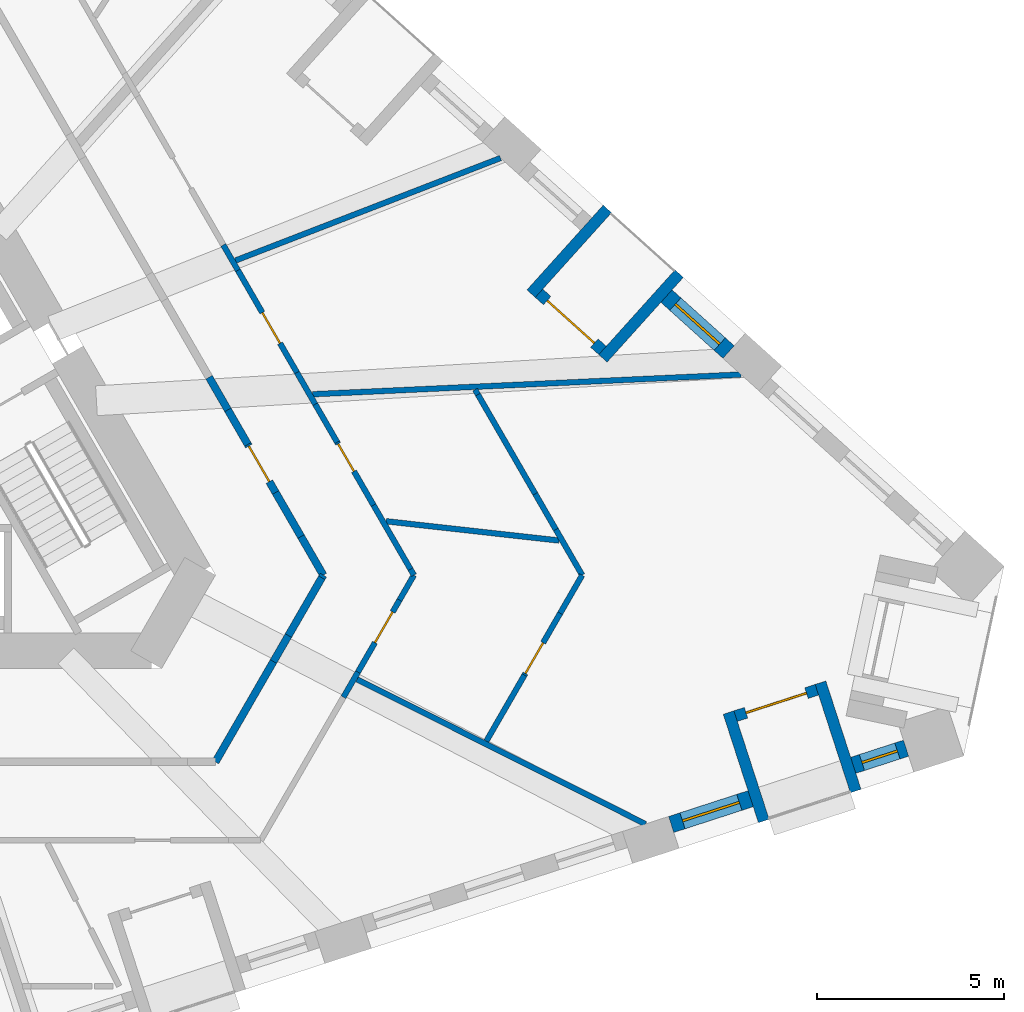
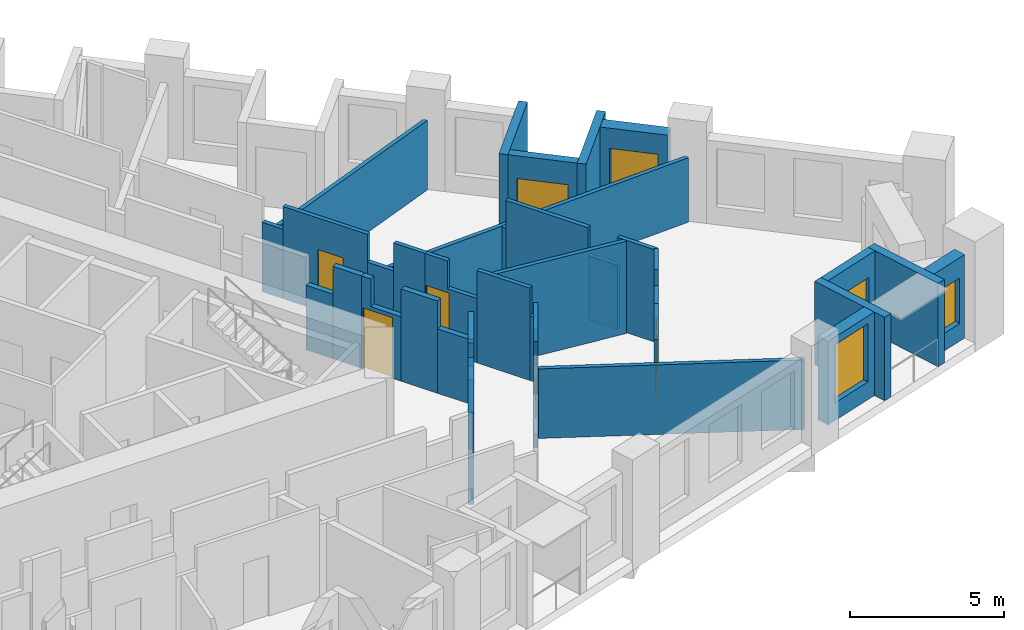
# One storey, part 6 of 12: 39 walls, 7 doors, 3 windows, 10 openings.
"""IFC4 building model written with IfcOpenShell, lengths in metres."""

from ifc_helpers import new_model, si_unit, direction, frame, frame_2d, origin, place, context, subcontext, project, spatial, polyline, rectangle, outline, extrude, material, layer, layer_set, type_object, element, fill, save


model = new_model("IFC4")

# Units and contexts
model_context = context("Model", 3, precision=1e-05, world=origin(), true_north=direction((0.0, 1.0)))
body_context = subcontext(model_context, "Body", "Model", "MODEL_VIEW")
ifc_project = project(units=[si_unit("LENGTHUNIT", "METRE"), si_unit("AREAUNIT", "SQUARE_METRE"), si_unit("VOLUMEUNIT", "CUBIC_METRE"), si_unit("PLANEANGLEUNIT", "RADIAN"), si_unit("MASSUNIT", "GRAM", prefix="KILO")], contexts=[model_context])

# Site, building, storey
site_placement = place(None, origin())
site = spatial("IfcSite", under=ifc_project, at=site_placement, CompositionType="ELEMENT")
building_placement = place(site_placement, origin())
building = spatial("IfcBuilding", under=site, at=building_placement, Name="Tramontana Tower", CompositionType="ELEMENT")
storey_placement = place(building_placement, frame((0.0, 0.0, 88.39990234375)))
storey = spatial("IfcBuildingStorey", under=building, at=storey_placement, Name="L19", CompositionType="ELEMENT", Elevation=88.39990234375)

# Walls
ifc_material_1 = material(Name="Blockwork", Category="masonry")
ifc_layer_1 = layer(ifc_material_1, 0.199951171875)
ifc_layer_set_1 = layer_set([ifc_layer_1], Name="ENTRY WALL 200")
wall_type_1 = type_object("IfcWallType", Name="ENTRY WALL 200", PredefinedType="SOLIDWALL", material=ifc_layer_set_1)
wall_1_placement = place(storey_placement, frame((10.077392578125, 1.04541015625, 0.0), z_axis=(0.0, 0.0, 1.0), x_axis=(0.500051323872, -0.865995769906, 0.0)))
element("IfcWall", 1, at=wall_1_placement, inside=storey, type_object=wall_type_1, Name="Wall v20-ew0-7", PredefinedType="SOLIDWALL", context=body_context, shape_type="SweptSolid", body=[
    extrude(rectangle(XDim=1.0068359375, YDim=0.199951171875, at=frame_2d((0.50341796875, 0.0))), origin(), (0.0, 0.0, 1.0), 2.550048828125),
])
wall_2_placement = place(storey_placement, frame((10.580810546875, 0.173583984375, 0.0), z_axis=(0.0, 0.0, 1.0), x_axis=(0.499920058375, -0.866071553184, 0.0)))
element("IfcWall", 2, at=wall_2_placement, inside=storey, type_object=wall_type_1, Name="Wall v20-ew0-8", PredefinedType="SOLIDWALL", context=body_context, shape_type="SweptSolid", body=[
    extrude(rectangle(XDim=1.069580078125, YDim=0.199951171875, at=frame_2d((0.53466796875, 0.0))), origin(), (0.0, 0.0, 1.0), 3.650146484375),
])

# Wall, opening, door
wall_3_placement = place(storey_placement, frame((11.115478515625, -0.752685546875, 0.0), z_axis=(0.0, 0.0, 1.0), x_axis=(0.499973719246, -0.866040576453, 0.0)))
wall_3 = element("IfcWall", 3, at=wall_3_placement, inside=storey, type_object=wall_type_1, Name="Wall v20-ew0-9", PredefinedType="SOLIDWALL", context=body_context, shape_type="SweptSolid", body=[
    extrude(outline(polyline([(0.0, 0.0), (1.48583984375, 0.0), (1.48583984375, 2.550048828125), (0.349853515625, 2.550048828125), (0.349853515625, 3.650146484375), (0.0, 3.650146484375), (0.0, 0.0)])), frame((0.0, 0.10009765625, 0.0), z_axis=(0.0, -1.0, 0.0), x_axis=(1.0, 0.0, 0.0)), (0.0, 0.0, 1.0), 0.199951171875),
])
opening_1_placement = place(wall_3_placement, frame((0.050048828125, 0.0, 0.0)))
opening_1 = element("IfcOpeningElement", 4, at=opening_1_placement, cuts=wall_3, Name="Opening B2A-24", PredefinedType="OPENING", context=body_context, shape_type="SweptSolid", body=[
    extrude(rectangle(XDim=1.10009765625, YDim=2.39990234375, at=frame_2d((0.550048828125, 1.199951171875))), frame((0.0, 0.10986328125, 0.0), z_axis=(0.0, -1.0, 0.0), x_axis=(1.0, 0.0, 0.0)), (0.0, 0.0, 1.0), 0.219970703125),
])
ifc_material_2 = material(Name="Painted timber", Category="wood")
door_type_1 = type_object("IfcDoorType", Name="DOOR ENTRY 1100", OperationType="SINGLE_SWING_LEFT", PredefinedType="DOOR", material=ifc_material_2)
door_1_placement = place(opening_1_placement, origin())
door_1 = element("IfcDoor", 5, at=door_1_placement, inside=storey, type_object=door_type_1, Name="Door B2A-24", OperationType="SINGLE_SWING_RIGHT", OverallHeight=2.39990234375, OverallWidth=1.10009765625, PredefinedType="DOOR", context=body_context, shape_type="SweptSolid", body=[
    extrude(rectangle(XDim=1.10009765625, YDim=2.39990234375, at=frame_2d((0.550048828125, 1.199951171875))), frame((0.0, 0.02490234375, 0.0), z_axis=(0.0, -1.0, 0.0), x_axis=(1.0, 0.0, 0.0)), (0.0, 0.0, 1.0), 0.050048828125),
])
fill(opening_1, door_1)

# Walls
wall_4_placement = place(storey_placement, frame((11.8583984375, -2.03955078125, 0.0), z_axis=(0.0, 0.0, 1.0), x_axis=(0.500038357328, -0.866003257038, 0.0)))
element("IfcWall", 6, at=wall_4_placement, inside=storey, type_object=wall_type_1, Name="Wall v20-ew0-10", PredefinedType="SOLIDWALL", context=body_context, shape_type="SweptSolid", body=[
    extrude(rectangle(XDim=1.3603515625, YDim=0.199951171875, at=frame_2d((0.68017578125, 0.0))), origin(), (0.0, 0.0, 1.0), 3.650146484375),
])
wall_5_placement = place(storey_placement, frame((12.53857421875, -3.217529296875, 0.0), z_axis=(0.0, 0.0, 1.0), x_axis=(0.500059236744, -0.865991200733, 0.0)))
element("IfcWall", 7, at=wall_5_placement, inside=storey, type_object=wall_type_1, Name="Wall v20-ew0-11", PredefinedType="SOLIDWALL", context=body_context, shape_type="SweptSolid", body=[
    extrude(rectangle(XDim=1.192138671875, YDim=0.199951171875, at=frame_2d((0.59619140625, 0.0))), origin(), (0.0, 0.0, 1.0), 2.550048828125),
])
wall_6_placement = place(storey_placement, frame((13.134765625, -4.25, 0.0), z_axis=(0.0, 0.0, 1.0), x_axis=(-0.501397775159, -0.865216892499, 0.0)))
element("IfcWall", 8, at=wall_6_placement, inside=storey, type_object=wall_type_1, Name="Wall v20-ew1-0", PredefinedType="SOLIDWALL", context=body_context, shape_type="SweptSolid", body=[
    extrude(rectangle(XDim=0.079833984375, YDim=0.199951171875, at=frame_2d((0.0400390625, 0.0))), origin(), (0.0, 0.0, 1.0), 2.550048828125),
])
wall_7_placement = place(storey_placement, frame((13.0947265625, -4.319091796875, 0.0), z_axis=(0.0, 0.0, 1.0), x_axis=(-0.499986405537, -0.866033252409, 0.0)))
element("IfcWall", 9, at=wall_7_placement, inside=storey, type_object=wall_type_1, Name="Wall v20-ew1-1", PredefinedType="SOLIDWALL", context=body_context, shape_type="SweptSolid", body=[
    extrude(rectangle(XDim=1.7880859375, YDim=0.199951171875, at=frame_2d((0.89404296875, 0.0))), origin(), (0.0, 0.0, 1.0), 3.650146484375),
])
wall_8_placement = place(storey_placement, frame((12.20068359375, -5.86767578125, 0.0), z_axis=(0.0, 0.0, 1.0), x_axis=(-0.499942357345, -0.866058681229, 0.0)))
element("IfcWall", 10, at=wall_8_placement, inside=storey, type_object=wall_type_1, Name="Wall v20-ew1-2", PredefinedType="SOLIDWALL", context=body_context, shape_type="SweptSolid", body=[
    extrude(rectangle(XDim=0.80078125, YDim=0.199951171875, at=frame_2d((0.400390625, 0.0))), origin(), (0.0, 0.0, 1.0), 2.75),
])
wall_9_placement = place(storey_placement, frame((11.80029296875, -6.561279296875, 0.0), z_axis=(0.0, 0.0, 1.0), x_axis=(-0.499978855264, -0.866037611359, 0.0)))
element("IfcWall", 11, at=wall_9_placement, inside=storey, type_object=wall_type_1, Name="Wall v20-ew1-3", PredefinedType="SOLIDWALL", context=body_context, shape_type="SweptSolid", body=[
    extrude(rectangle(XDim=3.104736328125, YDim=0.199951171875, at=frame_2d((1.55224609375, 0.0))), origin(), (0.0, 0.0, 1.0), 3.650146484375),
])

# Wall, opening, window
ifc_material_3 = material(Name="Precast concrete 60 MPa", Category="concrete")
ifc_layer_2 = layer(ifc_material_3, 0.449951171875)
ifc_layer_set_2 = layer_set([ifc_layer_2], Name="Precast concrete 60 MPa, 450 mm")
wall_type_2 = type_object("IfcWallType", Name="EW1 Stone-faced precast wall 450", PredefinedType="SOLIDWALL", material=ifc_layer_set_2)
wall_10_placement = place(storey_placement, frame((22.444580078125, -10.923828125, 0.0), z_axis=(0.0, 0.0, 1.0), x_axis=(0.951067749801, 0.30898241906, 0.0)))
wall_10 = element("IfcWall", 12, at=wall_10_placement, inside=storey, type_object=wall_type_2, Name="External wall L19 face 1 bay 6", PredefinedType="SOLIDWALL", context=body_context, shape_type="SweptSolid", body=[
    extrude(rectangle(XDim=2.23681640625, YDim=0.449951171875, at=frame_2d((1.118408203125, 0.0))), origin(), (0.0, 0.0, 1.0), 3.300048828125),
])
opening_2_placement = place(wall_10_placement, frame((0.318359375, 0.0, 0.699951171875)))
opening_2 = element("IfcOpeningElement", 13, at=opening_2_placement, cuts=wall_10, Name="Opening M1", PredefinedType="OPENING", context=body_context, shape_type="SweptSolid", body=[
    extrude(rectangle(XDim=1.60009765625, YDim=2.300048828125, at=frame_2d((0.800048828125, 1.14990234375))), frame((0.0, 0.23486328125, 0.0), z_axis=(0.0, -1.0, 0.0), x_axis=(1.0, 0.0, 0.0)), (0.0, 0.0, 1.0), 0.469970703125),
])
ifc_material_4 = material(Name="Aluminum frame, double glazing unit", Category="aluminium")
window_type_1 = type_object("IfcWindowType", Name="M1 Window 1.6 x 2.3", PartitioningType="SINGLE_PANEL", PredefinedType="WINDOW", material=ifc_material_4)
window_1_placement = place(opening_2_placement, origin())
window_1 = element("IfcWindow", 14, at=window_1_placement, inside=storey, type_object=window_type_1, Name="Window M1 L19 face 1 module 16", OverallHeight=2.300048828125, OverallWidth=1.60009765625, PartitioningType="SINGLE_PANEL", PredefinedType="WINDOW", context=body_context, shape_type="SweptSolid", body=[
    extrude(rectangle(XDim=1.60009765625, YDim=2.300048828125, at=frame_2d((0.800048828125, 1.14990234375))), frame((0.0, 0.030029296875, 0.0), z_axis=(0.0, -1.0, 0.0), x_axis=(1.0, 0.0, 0.0)), (0.0, 0.0, 1.0), 0.06005859375),
])
fill(opening_2, window_1)

wall_11_placement = place(storey_placement, frame((27.3173828125, -9.340576171875, 0.0), z_axis=(0.0, 0.0, 1.0), x_axis=(0.951053373744, 0.309026665985, 0.0)))
wall_11 = element("IfcWall", 15, at=wall_11_placement, inside=storey, type_object=wall_type_2, Name="External wall L19 face 1 bay 6", PredefinedType="SOLIDWALL", context=body_context, shape_type="SweptSolid", body=[
    extrude(rectangle(XDim=1.48681640625, YDim=0.449951171875, at=frame_2d((0.743408203125, 0.0))), origin(), (0.0, 0.0, 1.0), 3.300048828125),
])
opening_3_placement = place(wall_11_placement, frame((0.243408203125, 0.0, 0.699951171875)))
opening_3 = element("IfcOpeningElement", 16, at=opening_3_placement, cuts=wall_11, Name="Opening N1L", PredefinedType="OPENING", context=body_context, shape_type="SweptSolid", body=[
    extrude(rectangle(XDim=1.0, YDim=1.800048828125, at=frame_2d((0.5, 0.89990234375))), frame((0.0, 0.23486328125, 0.0), z_axis=(0.0, -1.0, 0.0), x_axis=(1.0, 0.0, 0.0)), (0.0, 0.0, 1.0), 0.469970703125),
])
ifc_material_5 = material(Name="Aluminum frame, double glazing unit", Category="aluminium")
window_type_2 = type_object("IfcWindowType", Name="N1L Window 1 x 1.8", PartitioningType="SINGLE_PANEL", PredefinedType="WINDOW", material=ifc_material_5)
window_2_placement = place(opening_3_placement, origin())
window_2 = element("IfcWindow", 17, at=window_2_placement, inside=storey, type_object=window_type_2, Name="Window N1L L19 face 1 module 18", OverallHeight=1.800048828125, OverallWidth=1.0, PartitioningType="SINGLE_PANEL", PredefinedType="WINDOW", context=body_context, shape_type="SweptSolid", body=[
    extrude(rectangle(XDim=1.0, YDim=1.800048828125, at=frame_2d((0.5, 0.89990234375))), frame((0.0, 0.030029296875, 0.0), z_axis=(0.0, -1.0, 0.0), x_axis=(1.0, 0.0, 0.0)), (0.0, 0.0, 1.0), 0.06005859375),
])
fill(opening_3, window_2)

wall_12_placement = place(storey_placement, frame((23.981201171875, 1.72021484375, 0.0), z_axis=(0.0, 0.0, 1.0), x_axis=(-0.743142151309, 0.669133576311, 0.0)))
wall_12 = element("IfcWall", 18, at=wall_12_placement, inside=storey, type_object=wall_type_2, Name="External wall L19 face 2 bay 2", PredefinedType="SOLIDWALL", context=body_context, shape_type="SweptSolid", body=[
    extrude(rectangle(XDim=2.236572265625, YDim=0.449951171875, at=frame_2d((1.1181640625, 0.0))), origin(), (0.0, 0.0, 1.0), 3.300048828125),
])
opening_4_placement = place(wall_12_placement, frame((0.318359375, 0.0, 0.699951171875)))
opening_4 = element("IfcOpeningElement", 19, at=opening_4_placement, cuts=wall_12, Name="Opening M1L", PredefinedType="OPENING", context=body_context, shape_type="SweptSolid", body=[
    extrude(rectangle(XDim=1.60009765625, YDim=1.800048828125, at=frame_2d((0.800048828125, 0.89990234375))), frame((0.0, 0.23486328125, 0.0), z_axis=(0.0, -1.0, 0.0), x_axis=(1.0, 0.0, 0.0)), (0.0, 0.0, 1.0), 0.469970703125),
])
ifc_material_6 = material(Name="Aluminum frame, double glazing unit", Category="aluminium")
window_type_3 = type_object("IfcWindowType", Name="M1L Window 1.6 x 1.8", PartitioningType="SINGLE_PANEL", PredefinedType="WINDOW", material=ifc_material_6)
window_3_placement = place(opening_4_placement, origin())
window_3 = element("IfcWindow", 20, at=window_3_placement, inside=storey, type_object=window_type_3, Name="Window M1L L19 face 2 module 4", OverallHeight=1.800048828125, OverallWidth=1.60009765625, PartitioningType="SINGLE_PANEL", PredefinedType="WINDOW", context=body_context, shape_type="SweptSolid", body=[
    extrude(rectangle(XDim=1.60009765625, YDim=1.800048828125, at=frame_2d((0.800048828125, 0.89990234375))), frame((0.0, 0.030029296875, 0.0), z_axis=(0.0, -1.0, 0.0), x_axis=(1.0, 0.0, 0.0)), (0.0, 0.0, 1.0), 0.06005859375),
])
fill(opening_4, window_3)

# Wall, opening, door
ifc_material_7 = material(Name="Precast concrete 60 MPa", Category="concrete")
ifc_layer_3 = layer(ifc_material_7, 0.300048828125)
ifc_layer_set_3 = layer_set([ifc_layer_3], Name="LW1 Stone-faced loggia wall 300")
wall_type_3 = type_object("IfcWallType", Name="LW1 Stone-faced loggia wall 300", PredefinedType="SOLIDWALL", material=ifc_layer_set_3)
wall_13_placement = place(storey_placement, frame((24.169677734375, -8.02392578125, 0.0), z_axis=(0.0, 0.0, 1.0), x_axis=(0.95103720697, 0.309076416051, 0.0)))
wall_13 = element("IfcWall", 21, at=wall_13_placement, inside=storey, type_object=wall_type_3, Name="Loggia wall L19 G2S1.16", PredefinedType="SOLIDWALL", context=body_context, shape_type="SweptSolid", body=[
    extrude(rectangle(XDim=2.286865234375, YDim=0.300048828125, at=frame_2d((1.1435546875, 0.0))), origin(), (0.0, 0.0, 1.0), 3.300048828125),
])
opening_5_placement = place(wall_13_placement, frame((0.29345703125, 0.0, 0.0)))
opening_5 = element("IfcOpeningElement", 22, at=opening_5_placement, cuts=wall_13, Name="Opening BD-2S1-16", PredefinedType="OPENING", context=body_context, shape_type="SweptSolid", body=[
    extrude(rectangle(XDim=1.699951171875, YDim=2.39990234375, at=frame_2d((0.85009765625, 1.199951171875))), frame((0.0, 0.159912109375, 0.0), z_axis=(0.0, -1.0, 0.0), x_axis=(1.0, 0.0, 0.0)), (0.0, 0.0, 1.0), 0.320068359375),
])
ifc_material_8 = material(Name="Aluminum frame, double glazing unit", Category="aluminium")
door_type_2 = type_object("IfcDoorType", Name="BD1 Sliding door 1.7 x 2.4", OperationType="SLIDING_TO_LEFT", PredefinedType="DOOR", material=ifc_material_8)
door_2_placement = place(opening_5_placement, origin())
door_2 = element("IfcDoor", 23, at=door_2_placement, inside=storey, type_object=door_type_2, Name="Loggia door L19 G2S1.16", OperationType="SLIDING_TO_LEFT", OverallHeight=2.39990234375, OverallWidth=1.699951171875, PredefinedType="DOOR", context=body_context, shape_type="SweptSolid", body=[
    extrude(rectangle(XDim=1.699951171875, YDim=2.39990234375, at=frame_2d((0.85009765625, 1.199951171875))), frame((0.0, 0.02490234375, 0.0), z_axis=(0.0, -1.0, 0.0), x_axis=(1.0, 0.0, 0.0)), (0.0, 0.0, 1.0), 0.050048828125),
])
fill(opening_5, door_2)

# Walls
wall_14_placement = place(storey_placement, frame((24.923095703125, -10.828369140625, 0.0), z_axis=(0.0, 0.0, 1.0), x_axis=(-0.308966615996, 0.951072883748, 0.0)))
element("IfcWall", 24, at=wall_14_placement, inside=storey, type_object=wall_type_3, Name="Loggia return L19 G2S1.16a", PredefinedType="SOLIDWALL", context=body_context, shape_type="SweptSolid", body=[
    extrude(rectangle(XDim=3.050048828125, YDim=0.300048828125, at=frame_2d((1.52490234375, 0.0))), origin(), (0.0, 0.0, 1.0), 3.300048828125),
])
wall_15_placement = place(storey_placement, frame((27.38330078125, -10.02880859375, 0.0), z_axis=(0.0, 0.0, 1.0), x_axis=(-0.308990138358, 0.951065241925, 0.0)))
element("IfcWall", 25, at=wall_15_placement, inside=storey, type_object=wall_type_3, Name="Loggia return L19 G2S1.16b", PredefinedType="SOLIDWALL", context=body_context, shape_type="SweptSolid", body=[
    extrude(rectangle(XDim=3.0498046875, YDim=0.300048828125, at=frame_2d((1.52490234375, 0.0))), origin(), (0.0, 0.0, 1.0), 3.300048828125),
])

# Wall, opening, door
wall_16_placement = place(storey_placement, frame((20.607421875, 1.76416015625, 0.0), z_axis=(0.0, 0.0, 1.0), x_axis=(-0.743182653308, 0.669088591909, 0.0)))
wall_16 = element("IfcWall", 26, at=wall_16_placement, inside=storey, type_object=wall_type_3, Name="Loggia wall L19 G2S2.4", PredefinedType="SOLIDWALL", context=body_context, shape_type="SweptSolid", body=[
    extrude(rectangle(XDim=2.28662109375, YDim=0.300048828125, at=frame_2d((1.143310546875, 0.0))), origin(), (0.0, 0.0, 1.0), 3.300048828125),
])
opening_6_placement = place(wall_16_placement, frame((0.29345703125, 0.0, 0.0)))
opening_6 = element("IfcOpeningElement", 27, at=opening_6_placement, cuts=wall_16, Name="Opening BD-2S2-04", PredefinedType="OPENING", context=body_context, shape_type="SweptSolid", body=[
    extrude(rectangle(XDim=1.699951171875, YDim=2.39990234375, at=frame_2d((0.85009765625, 1.199951171875))), frame((0.0, 0.159912109375, 0.0), z_axis=(0.0, -1.0, 0.0), x_axis=(1.0, 0.0, 0.0)), (0.0, 0.0, 1.0), 0.320068359375),
])
door_3_placement = place(opening_6_placement, origin())
door_3 = element("IfcDoor", 28, at=door_3_placement, inside=storey, type_object=door_type_2, Name="Loggia door L19 G2S2.4", OperationType="SLIDING_TO_LEFT", OverallHeight=2.39990234375, OverallWidth=1.699951171875, PredefinedType="DOOR", context=body_context, shape_type="SweptSolid", body=[
    extrude(rectangle(XDim=1.699951171875, YDim=2.39990234375, at=frame_2d((0.85009765625, 1.199951171875))), frame((0.0, 0.02490234375, 0.0), z_axis=(0.0, -1.0, 0.0), x_axis=(1.0, 0.0, 0.0)), (0.0, 0.0, 1.0), 0.050048828125),
])
fill(opening_6, door_3)

# Walls
for number, where, z_axis, x_axis, name in (
    (29, (22.6591796875, 3.81884765625, 0.0), (0.0, 0.0, 1.0), (-0.669115082961, -0.743158802514, 0.0), "Loggia return L19 G2S2.4a"),
    (30, (20.73681640625, 5.5498046875, 0.0), (0.0, 0.0, 1.0), (-0.669115082961, -0.743158802514, 0.0), "Loggia return L19 G2S2.4b"),
):
    element("IfcWall", number, at=place(storey_placement, frame(where, z_axis=z_axis, x_axis=x_axis)), inside=storey, type_object=wall_type_3, Name=name, PredefinedType="SOLIDWALL", context=body_context, shape_type="SweptSolid", body=[
        extrude(rectangle(XDim=3.050048828125, YDim=0.300048828125, at=frame_2d((1.52490234375, 0.0))), origin(), (0.0, 0.0, 1.0), 3.300048828125),
    ])
ifc_material_9 = material(Name="Gypsum board partition")
ifc_layer_4 = layer(ifc_material_9, 0.14990234375)
ifc_layer_set_4 = layer_set([ifc_layer_4], Name="PARTITION 150")
wall_type_4 = type_object("IfcWallType", Name="PARTITION 150", PredefinedType="PARTITIONING", material=ifc_layer_set_4)
wall_17_placement = place(storey_placement, frame((10.4580078125, 4.58642578125, 0.0), z_axis=(0.0, 0.0, 1.0), x_axis=(0.49979442921, -0.866144057608, 0.0)))
element("IfcWall", 31, at=wall_17_placement, inside=storey, type_object=wall_type_4, Name="Wall v20-pw23-4", PredefinedType="PARTITIONING", context=body_context, shape_type="SweptSolid", body=[
    extrude(rectangle(XDim=0.782958984375, YDim=0.14990234375, at=frame_2d((0.3916015625, 0.0))), origin(), (0.0, 0.0, 1.0), 2.75),
])

# Wall, opening, door
wall_18_placement = place(storey_placement, frame((10.849365234375, 3.908203125, 0.0), z_axis=(0.0, 0.0, 1.0), x_axis=(0.500027861653, -0.866009317254, 0.0)))
wall_18 = element("IfcWall", 32, at=wall_18_placement, inside=storey, type_object=wall_type_4, Name="Wall v20-pw23-5", PredefinedType="PARTITIONING", context=body_context, shape_type="SweptSolid", body=[
    extrude(rectangle(XDim=3.159912109375, YDim=0.14990234375, at=frame_2d((1.580078125, 0.0))), origin(), (0.0, 0.0, 1.0), 3.650146484375),
])
opening_7_placement = place(wall_18_placement, frame((1.30712890625, 0.0, 0.0)))
opening_7 = element("IfcOpeningElement", 33, at=opening_7_placement, cuts=wall_18, Name="Opening B2A-18", PredefinedType="OPENING", context=body_context, shape_type="SweptSolid", body=[
    extrude(rectangle(XDim=0.949951171875, YDim=2.39990234375, at=frame_2d((0.47509765625, 1.199951171875))), frame((0.0, 0.0849609375, 0.0), z_axis=(0.0, -1.0, 0.0), x_axis=(1.0, 0.0, 0.0)), (0.0, 0.0, 1.0), 0.169921875),
])
ifc_material_10 = material(Name="Painted timber", Category="wood")
door_type_3 = type_object("IfcDoorType", Name="DOOR ROOM 950", OperationType="SINGLE_SWING_LEFT", PredefinedType="DOOR", material=ifc_material_10)
door_4_placement = place(opening_7_placement, origin())
door_4 = element("IfcDoor", 34, at=door_4_placement, inside=storey, type_object=door_type_3, Name="Door B2A-18", OperationType="SINGLE_SWING_RIGHT", OverallHeight=2.39990234375, OverallWidth=0.949951171875, PredefinedType="DOOR", context=body_context, shape_type="SweptSolid", body=[
    extrude(rectangle(XDim=0.949951171875, YDim=2.39990234375, at=frame_2d((0.47509765625, 1.199951171875))), frame((0.0, 0.02490234375, 0.0), z_axis=(0.0, -1.0, 0.0), x_axis=(1.0, 0.0, 0.0)), (0.0, 0.0, 1.0), 0.050048828125),
])
fill(opening_7, door_4)

# Walls
wall_19_placement = place(storey_placement, frame((12.429443359375, 1.171630859375, 0.0), z_axis=(0.0, 0.0, 1.0), x_axis=(0.499895202697, -0.866085900082, 0.0)))
element("IfcWall", 35, at=wall_19_placement, inside=storey, type_object=wall_type_4, Name="Wall v20-pw23-6", PredefinedType="PARTITIONING", context=body_context, shape_type="SweptSolid", body=[
    extrude(rectangle(XDim=0.978759765625, YDim=0.14990234375, at=frame_2d((0.4892578125, 0.0))), origin(), (0.0, 0.0, 1.0), 2.550048828125),
])
wall_20_placement = place(storey_placement, frame((12.918701171875, 0.323974609375, 0.0), z_axis=(0.0, 0.0, 1.0), x_axis=(0.500028278809, -0.866009076391, 0.0)))
element("IfcWall", 36, at=wall_20_placement, inside=storey, type_object=wall_type_4, Name="Wall v20-pw23-7", PredefinedType="PARTITIONING", context=body_context, shape_type="SweptSolid", body=[
    extrude(rectangle(XDim=1.1748046875, YDim=0.14990234375, at=frame_2d((0.58740234375, 0.0))), origin(), (0.0, 0.0, 1.0), 3.650146484375),
])

# Wall, opening, door
wall_21_placement = place(storey_placement, frame((13.506103515625, -0.693359375, 0.0), z_axis=(0.0, 0.0, 1.0), x_axis=(0.500001430823, -0.866024577697, 0.0)))
wall_21 = element("IfcWall", 37, at=wall_21_placement, inside=storey, type_object=wall_type_4, Name="Wall v20-pw23-8", PredefinedType="PARTITIONING", context=body_context, shape_type="SweptSolid", body=[
    extrude(outline(polyline([(0.0, 0.0), (1.9443359375, 0.0), (1.944580078125, 2.550048828125), (0.83984375, 2.550048828125), (0.83984375, 3.650146484375), (0.0, 3.650146484375), (0.0, 0.0)])), frame((0.0, 0.074951171875, 0.0), z_axis=(0.0, -1.0, 0.0), x_axis=(1.0, 0.0, 0.0)), (0.0, 0.0, 1.0), 0.14990234375),
])
opening_8_placement = place(wall_21_placement, frame((0.050048828125, 0.0, 0.0)))
opening_8 = element("IfcOpeningElement", 38, at=opening_8_placement, cuts=wall_21, Name="Opening B2A-16", PredefinedType="OPENING", context=body_context, shape_type="SweptSolid", body=[
    extrude(rectangle(XDim=0.85009765625, YDim=2.39990234375, at=frame_2d((0.425048828125, 1.199951171875))), frame((0.0, 0.0849609375, 0.0), z_axis=(0.0, -1.0, 0.0), x_axis=(1.0, 0.0, 0.0)), (0.0, 0.0, 1.0), 0.169921875),
])
ifc_material_11 = material(Name="Painted timber", Category="wood")
door_type_4 = type_object("IfcDoorType", Name="DOOR BATH 850", OperationType="SINGLE_SWING_LEFT", PredefinedType="DOOR", material=ifc_material_11)
door_5_placement = place(opening_8_placement, origin())
door_5 = element("IfcDoor", 39, at=door_5_placement, inside=storey, type_object=door_type_4, Name="Door B2A-16", OperationType="SINGLE_SWING_RIGHT", OverallHeight=2.39990234375, OverallWidth=0.85009765625, PredefinedType="DOOR", context=body_context, shape_type="SweptSolid", body=[
    extrude(rectangle(XDim=0.85009765625, YDim=2.39990234375, at=frame_2d((0.425048828125, 1.199951171875))), frame((0.0, 0.02490234375, 0.0), z_axis=(0.0, -1.0, 0.0), x_axis=(1.0, 0.0, 0.0)), (0.0, 0.0, 1.0), 0.050048828125),
])
fill(opening_8, door_5)

# Walls
wall_22_placement = place(storey_placement, frame((14.478271484375, -2.377197265625, 0.0), z_axis=(0.0, 0.0, 1.0), x_axis=(0.499971491109, -0.866041862775, 0.0)))
element("IfcWall", 40, at=wall_22_placement, inside=storey, type_object=wall_type_4, Name="Wall v20-pw23-9", PredefinedType="PARTITIONING", context=body_context, shape_type="SweptSolid", body=[
    extrude(rectangle(XDim=1.97998046875, YDim=0.14990234375, at=frame_2d((0.989990234375, 0.0))), origin(), (0.0, 0.0, 1.0), 3.650146484375),
])
wall_23_placement = place(storey_placement, frame((15.46826171875, -4.092041015625, 0.0), z_axis=(0.0, 0.0, 1.0), x_axis=(0.50045593687, -0.865762008436, 0.0)))
element("IfcWall", 41, at=wall_23_placement, inside=storey, type_object=wall_type_4, Name="Wall v20-pw23-10", PredefinedType="PARTITIONING", context=body_context, shape_type="SweptSolid", body=[
    extrude(rectangle(XDim=0.182373046875, YDim=0.14990234375, at=frame_2d((0.09130859375, 0.0))), origin(), (0.0, 0.0, 1.0), 2.550048828125),
])
wall_24_placement = place(storey_placement, frame((10.784912109375, 4.170166015625, 0.0), z_axis=(0.0, 0.0, 1.0), x_axis=(0.932701213241, 0.360650033716, 0.0)))
element("IfcWall", 42, at=wall_24_placement, inside=storey, type_object=wall_type_4, Name="Wall v20-pw30-0", PredefinedType="PARTITIONING", context=body_context, shape_type="SweptSolid", body=[
    extrude(rectangle(XDim=7.604736328125, YDim=0.14990234375, at=frame_2d((3.80224609375, 0.0))), origin(), (0.0, 0.0, 1.0), 2.75),
])
wall_25_placement = place(storey_placement, frame((12.851318359375, 0.591064453125, 0.0), z_axis=(0.0, 0.0, 1.0), x_axis=(0.998944359646, 0.045936546805, 0.0)))
element("IfcWall", 43, at=wall_25_placement, inside=storey, type_object=wall_type_4, Name="Wall v20-pw33-0", PredefinedType="PARTITIONING", context=body_context, shape_type="SweptSolid", body=[
    extrude(rectangle(XDim=11.474609375, YDim=0.14990234375, at=frame_2d((5.7373046875, 0.0))), origin(), (0.0, 0.0, 1.0), 2.550048828125),
])
wall_26_placement = place(storey_placement, frame((14.813720703125, -2.80810546875, 0.0), z_axis=(0.0, 0.0, 1.0), x_axis=(0.993844670605, -0.110782537929, 0.0)))
element("IfcWall", 44, at=wall_26_placement, inside=storey, type_object=wall_type_4, Name="Wall v20-pw34", PredefinedType="PARTITIONING", context=body_context, shape_type="SweptSolid", body=[
    extrude(rectangle(XDim=4.656494140625, YDim=0.14990234375, at=frame_2d((2.328125, 0.0))), origin(), (0.0, 0.0, 1.0), 3.650146484375),
])
wall_27_placement = place(storey_placement, frame((15.5595703125, -4.25, 0.0), z_axis=(0.0, 0.0, 1.0), x_axis=(-0.500124558158, -0.865953478154, 0.0)))
element("IfcWall", 45, at=wall_27_placement, inside=storey, type_object=wall_type_4, Name="Wall v20-pw35-0", PredefinedType="PARTITIONING", context=body_context, shape_type="SweptSolid", body=[
    extrude(rectangle(XDim=0.770751953125, YDim=0.14990234375, at=frame_2d((0.38525390625, 0.0))), origin(), (0.0, 0.0, 1.0), 2.550048828125),
])

# Wall, opening, door
wall_28_placement = place(storey_placement, frame((15.174072265625, -4.91748046875, 0.0), z_axis=(0.0, 0.0, 1.0), x_axis=(-0.49993766618, -0.866061389241, 0.0)))
wall_28 = element("IfcWall", 46, at=wall_28_placement, inside=storey, type_object=wall_type_4, Name="Wall v20-pw35-1", PredefinedType="PARTITIONING", context=body_context, shape_type="SweptSolid", body=[
    extrude(rectangle(XDim=2.225830078125, YDim=0.14990234375, at=frame_2d((1.11279296875, 0.0))), origin(), (0.0, 0.0, 1.0), 3.650146484375),
])
opening_9_placement = place(wall_28_placement, frame((0.366455078125, 0.0, 0.0)))
opening_9 = element("IfcOpeningElement", 47, at=opening_9_placement, cuts=wall_28, Name="Opening B2A-15", PredefinedType="OPENING", context=body_context, shape_type="SweptSolid", body=[
    extrude(rectangle(XDim=0.949951171875, YDim=2.39990234375, at=frame_2d((0.47509765625, 1.199951171875))), frame((0.0, 0.0849609375, 0.0), z_axis=(0.0, -1.0, 0.0), x_axis=(1.0, 0.0, 0.0)), (0.0, 0.0, 1.0), 0.169921875),
])
door_6_placement = place(opening_9_placement, origin())
door_6 = element("IfcDoor", 48, at=door_6_placement, inside=storey, type_object=door_type_3, Name="Door B2A-15", OperationType="SINGLE_SWING_LEFT", OverallHeight=2.39990234375, OverallWidth=0.949951171875, PredefinedType="DOOR", context=body_context, shape_type="SweptSolid", body=[
    extrude(rectangle(XDim=0.949951171875, YDim=2.39990234375, at=frame_2d((0.47509765625, 1.199951171875))), frame((0.0, 0.02490234375, 0.0), z_axis=(0.0, -1.0, 0.0), x_axis=(1.0, 0.0, 0.0)), (0.0, 0.0, 1.0), 0.050048828125),
])
fill(opening_9, door_6)

# Walls
wall_29_placement = place(storey_placement, frame((14.061279296875, -6.84521484375, 0.0), z_axis=(0.0, 0.0, 1.0), x_axis=(-0.500031167255, -0.866007408613, 0.0)))
element("IfcWall", 49, at=wall_29_placement, inside=storey, type_object=wall_type_4, Name="Wall v20-pw35-2", PredefinedType="PARTITIONING", context=body_context, shape_type="SweptSolid", body=[
    extrude(rectangle(XDim=0.77587890625, YDim=0.14990234375, at=frame_2d((0.387939453125, 0.0))), origin(), (0.0, 0.0, 1.0), 2.75),
])
wall_30_placement = place(storey_placement, frame((17.196044921875, 0.715576171875, 0.0), z_axis=(0.0, 0.0, 1.0), x_axis=(0.499858525911, -0.866107068482, 0.0)))
element("IfcWall", 50, at=wall_30_placement, inside=storey, type_object=wall_type_4, Name="Wall v20-pw36-0", PredefinedType="PARTITIONING", context=body_context, shape_type="SweptSolid", body=[
    extrude(rectangle(XDim=0.1552734375, YDim=0.14990234375, at=frame_2d((0.07763671875, 0.0))), origin(), (0.0, 0.0, 1.0), 2.550048828125),
])
wall_31_placement = place(storey_placement, frame((17.273681640625, 0.5810546875, 0.0), z_axis=(0.0, 0.0, 1.0), x_axis=(0.500037354383, -0.866003836147, 0.0)))
element("IfcWall", 51, at=wall_31_placement, inside=storey, type_object=wall_type_4, Name="Wall v20-pw36-1", PredefinedType="PARTITIONING", context=body_context, shape_type="SweptSolid", body=[
    extrude(rectangle(XDim=3.064697265625, YDim=0.14990234375, at=frame_2d((1.5322265625, 0.0))), origin(), (0.0, 0.0, 1.0), 3.650146484375),
])
wall_32_placement = place(storey_placement, frame((18.80615234375, -2.072998046875, 0.0), z_axis=(0.0, 0.0, 1.0), x_axis=(0.499894629757, -0.866086230776, 0.0)))
element("IfcWall", 52, at=wall_32_placement, inside=storey, type_object=wall_type_4, Name="Wall v20-pw36-2", PredefinedType="PARTITIONING", context=body_context, shape_type="SweptSolid", body=[
    extrude(rectangle(XDim=1.104736328125, YDim=0.14990234375, at=frame_2d((0.55224609375, 0.0))), origin(), (0.0, 0.0, 1.0), 2.550048828125),
])
wall_33_placement = place(storey_placement, frame((19.3583984375, -3.02978515625, 0.0), z_axis=(0.0, 0.0, 1.0), x_axis=(0.500052415518, -0.865995139556, 0.0)))
element("IfcWall", 53, at=wall_33_placement, inside=storey, type_object=wall_type_4, Name="Wall v20-pw36-3", PredefinedType="PARTITIONING", context=body_context, shape_type="SweptSolid", body=[
    extrude(rectangle(XDim=1.408935546875, YDim=0.14990234375, at=frame_2d((0.70458984375, 0.0))), origin(), (0.0, 0.0, 1.0), 3.650146484375),
])
wall_34_placement = place(storey_placement, frame((20.06298828125, -4.25, 0.0), z_axis=(0.0, 0.0, 1.0), x_axis=(-0.500063427972, -0.865988780531, 0.0)))
element("IfcWall", 54, at=wall_34_placement, inside=storey, type_object=wall_type_4, Name="Wall v20-pw37-0", PredefinedType="PARTITIONING", context=body_context, shape_type="SweptSolid", body=[
    extrude(rectangle(XDim=1.177490234375, YDim=0.14990234375, at=frame_2d((0.5888671875, 0.0))), origin(), (0.0, 0.0, 1.0), 3.650146484375),
])

# Wall, opening, door
wall_35_placement = place(storey_placement, frame((19.47412109375, -5.269775390625, 0.0), z_axis=(0.0, 0.0, 1.0), x_axis=(-0.499998833779, -0.866026077102, 0.0)))
wall_35 = element("IfcWall", 55, at=wall_35_placement, inside=storey, type_object=wall_type_4, Name="Wall v20-pw37-1", PredefinedType="PARTITIONING", context=body_context, shape_type="SweptSolid", body=[
    extrude(outline(polyline([(0.0, 0.0), (1.91162109375, 0.0), (1.91162109375, 3.650146484375), (0.900390625, 3.650146484375), (0.900390625, 2.550048828125), (0.0, 2.550048828125), (0.0, 0.0)])), frame((0.0, 0.074951171875, 0.0), z_axis=(0.0, -1.0, 0.0), x_axis=(1.0, 0.0, 0.0)), (0.0, 0.0, 1.0), 0.14990234375),
])
opening_10_placement = place(wall_35_placement, frame((0.91162109375, 0.0, 0.0)))
opening_10 = element("IfcOpeningElement", 56, at=opening_10_placement, cuts=wall_35, Name="Opening B2A-21", PredefinedType="OPENING", context=body_context, shape_type="SweptSolid", body=[
    extrude(rectangle(XDim=0.949951171875, YDim=2.39990234375, at=frame_2d((0.47509765625, 1.199951171875))), frame((0.0, 0.0849609375, 0.0), z_axis=(0.0, -1.0, 0.0), x_axis=(1.0, 0.0, 0.0)), (0.0, 0.0, 1.0), 0.169921875),
])
door_7_placement = place(opening_10_placement, origin())
door_7 = element("IfcDoor", 57, at=door_7_placement, inside=storey, type_object=door_type_3, Name="Door B2A-21", OperationType="SINGLE_SWING_LEFT", OverallHeight=2.39990234375, OverallWidth=0.949951171875, PredefinedType="DOOR", context=body_context, shape_type="SweptSolid", body=[
    extrude(rectangle(XDim=0.949951171875, YDim=2.39990234375, at=frame_2d((0.47509765625, 1.199951171875))), frame((0.0, 0.02490234375, 0.0), z_axis=(0.0, -1.0, 0.0), x_axis=(1.0, 0.0, 0.0)), (0.0, 0.0, 1.0), 0.050048828125),
])
fill(opening_10, door_7)

# Walls
wall_36_placement = place(storey_placement, frame((18.518310546875, -6.92529296875, 0.0), z_axis=(0.0, 0.0, 1.0), x_axis=(-0.499950448838, -0.866054010271, 0.0)))
element("IfcWall", 58, at=wall_36_placement, inside=storey, type_object=wall_type_4, Name="Wall v20-pw37-2", PredefinedType="PARTITIONING", context=body_context, shape_type="SweptSolid", body=[
    extrude(rectangle(XDim=2.039306640625, YDim=0.14990234375, at=frame_2d((1.01953125, 0.0))), origin(), (0.0, 0.0, 1.0), 3.650146484375),
])
wall_37_placement = place(storey_placement, frame((21.7568359375, -10.91064453125, 0.0), z_axis=(0.0, 0.0, 1.0), x_axis=(-0.893895152109, 0.448276094652, 0.0)))
element("IfcWall", 59, at=wall_37_placement, inside=storey, type_object=wall_type_4, Name="Wall v20-pw38-0", PredefinedType="PARTITIONING", context=body_context, shape_type="SweptSolid", body=[
    extrude(rectangle(XDim=8.63720703125, YDim=0.14990234375, at=frame_2d((4.318603515625, 0.0))), origin(), (0.0, 0.0, 1.0), 2.75),
])

save(model, "model.ifc")
